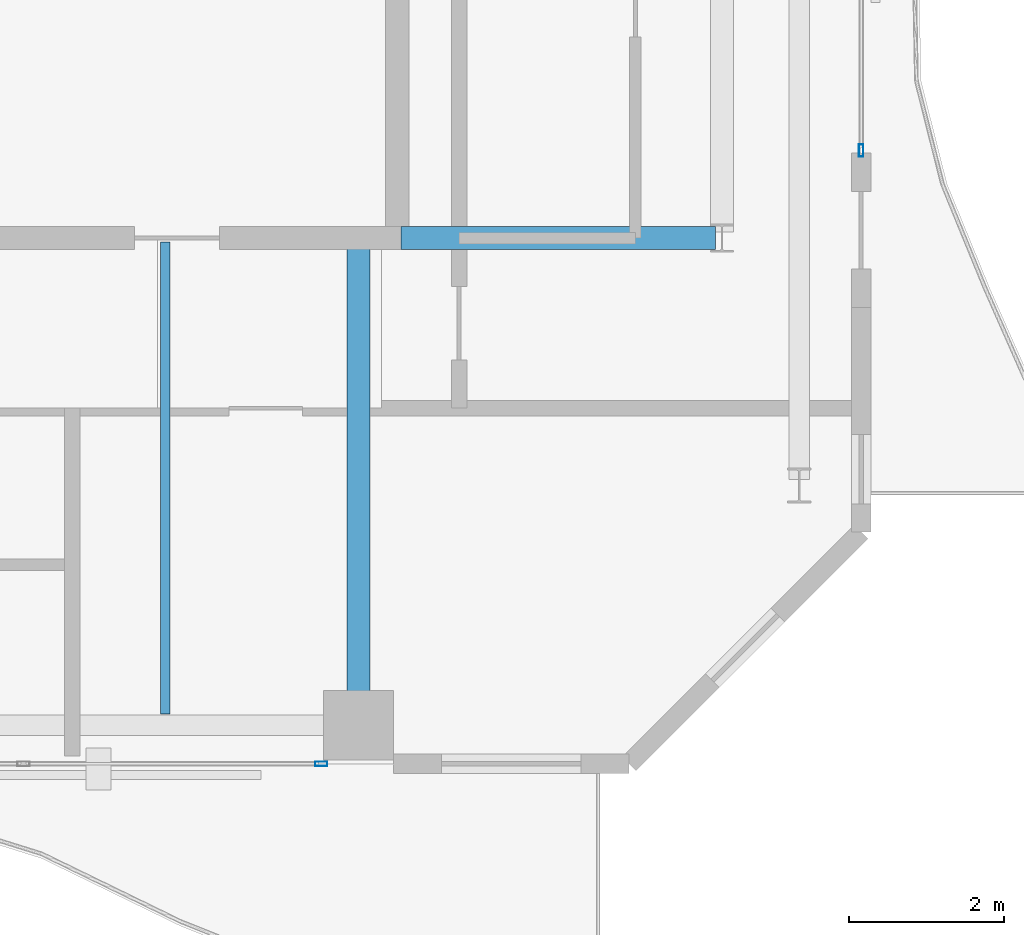
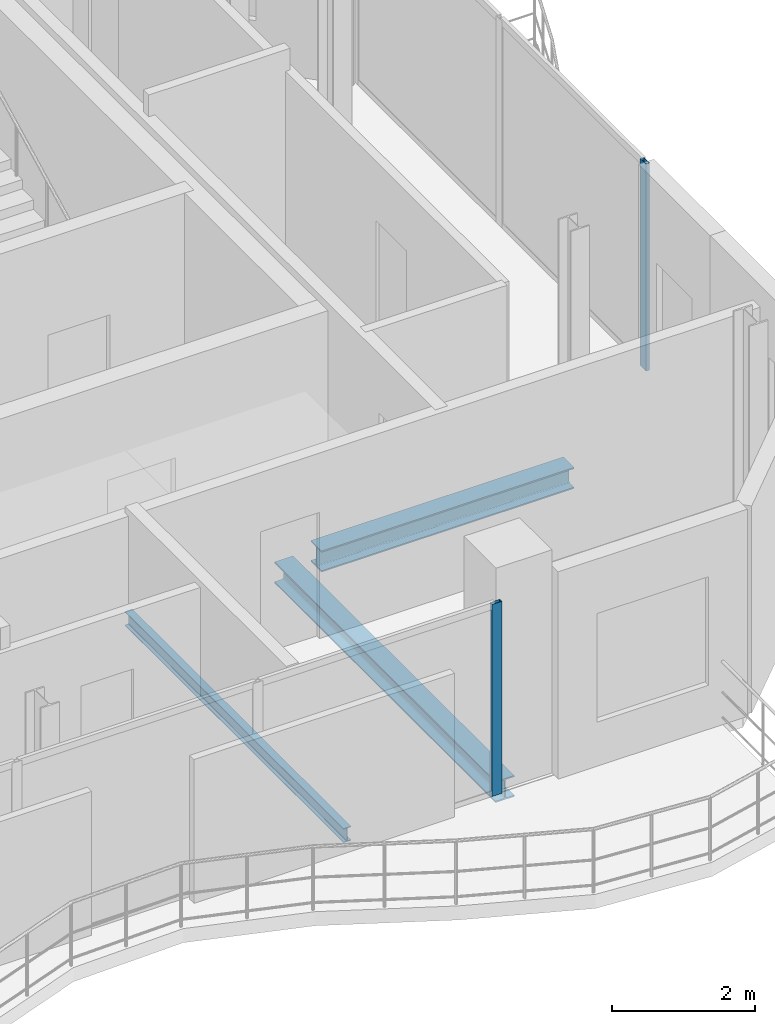
# One storey, part 14 of 23: 3 beams, 2 members, 2 elements without a shape of their own.
"""IFC4 building model written with IfcOpenShell, lengths in metres."""

from ifc_helpers import new_model, si_unit, direction, frame, origin, origin_2d, place, context, subcontext, project, spatial, hollow_rectangle, i_section, extrude, material, layer, layer_set, material_profile, profile_set, type_object, element, aggregate, save


model = new_model("IFC4")

# Units and contexts
model_context = context("Model", 3, precision=1e-05, world=origin(), true_north=direction((0.0, 1.0)))
body_context = subcontext(model_context, "Body", "Model", "MODEL_VIEW")
ifc_project = project(units=[si_unit("LENGTHUNIT", "METRE"), si_unit("AREAUNIT", "SQUARE_METRE"), si_unit("VOLUMEUNIT", "CUBIC_METRE"), si_unit("PLANEANGLEUNIT", "RADIAN"), si_unit("MASSUNIT", "GRAM", prefix="KILO")], contexts=[model_context])

# Site, building, storey
site_placement = place(None, origin())
site = spatial("IfcSite", under=ifc_project, at=site_placement, CompositionType="ELEMENT")
building_placement = place(site_placement, origin())
building = spatial("IfcBuilding", under=site, at=building_placement, Name="Catumbela Crestline Tower", CompositionType="ELEMENT")
storey_placement = place(building_placement, frame((0.0, 0.0, 245.0)))
storey = spatial("IfcBuildingStorey", under=building, at=storey_placement, Name="L63", CompositionType="ELEMENT", Elevation=245.0)

# Beams
ifc_material_1 = material(Name="Structural steel S355J2", Category="steel")
ifc_material_profile_1 = material_profile(ifc_material_1, i_section(OverallWidth=0.3, OverallDepth=0.36, WebThickness=0.0125, FlangeThickness=0.0225, FilletRadius=0.027, at=origin_2d()), Name="HEB 360")
ifc_profile_set_1 = profile_set([ifc_material_profile_1], Name="Structural steel S355J2")
beam_type_1 = type_object("IfcBeamType", Name="BG-HEB360", PredefinedType="BEAM", material=ifc_profile_set_1)
beam_1_placement = place(storey_placement, frame((40.05, 30.8, -0.44), z_axis=(1.0, 0.0, 0.0), x_axis=(0.0, 1.0, 0.0)))
element("IfcBeam", 1, at=beam_1_placement, inside=storey, type_object=beam_type_1, Name="L63 Beam BM-L63-M08", PredefinedType="BEAM", context=body_context, shape_type="SweptSolid", body=[
    extrude(i_section(OverallWidth=0.3, OverallDepth=0.36, WebThickness=0.0125, FlangeThickness=0.0225, FilletRadius=0.027, at=origin_2d()), origin(), (0.0, 0.0, 1.0), 4.07),
])
beam_2_placement = place(storey_placement, frame((39.5, 24.58, -0.44), z_axis=(0.0, 1.0, 0.0), x_axis=(-1.0, 0.0, 0.0)))
element("IfcBeam", 2, at=beam_2_placement, inside=storey, type_object=beam_type_1, Name="L63 Beam BM-L63-SNS18", PredefinedType="BEAM", context=body_context, shape_type="SweptSolid", body=[
    extrude(i_section(OverallWidth=0.3, OverallDepth=0.36, WebThickness=0.0125, FlangeThickness=0.0225, FilletRadius=0.027, at=origin_2d()), origin(), (0.0, 0.0, 1.0), 6.17),
])
ifc_material_profile_2 = material_profile(ifc_material_1, i_section(OverallWidth=0.12, OverallDepth=0.24, WebThickness=0.0062, FlangeThickness=0.0098, FilletRadius=0.015, at=origin_2d()), Name="IPE 240")
ifc_profile_set_2 = profile_set([ifc_material_profile_2], Name="Structural steel S355J2")
beam_type_2 = type_object("IfcBeamType", Name="BJ-IPE240", PredefinedType="JOIST", material=ifc_profile_set_2)
beam_3_placement = place(storey_placement, frame((37.0, 24.647, -0.38), z_axis=(0.0, 1.0, 0.0), x_axis=(-1.0, 0.0, 0.0)))
element("IfcBeam", 3, at=beam_3_placement, inside=storey, type_object=beam_type_2, Name="L63 Joist JS-L63-SP26", PredefinedType="JOIST", context=body_context, shape_type="SweptSolid", body=[
    extrude(i_section(OverallWidth=0.12, OverallDepth=0.24, WebThickness=0.0062, FlangeThickness=0.0098, FilletRadius=0.015, at=origin_2d()), origin(), (0.0, 0.0, 1.0), 6.103),
])

# Curtain wall, member
ifc_material_2 = material(Name="Aluminium alloy AW-6060-T66", Category="aluminium")
ifc_layer = layer(ifc_material_2, 0.18, Name="Aluminium alloy AW-6060-T66")
ifc_layer_set = layer_set([ifc_layer], Name="Aluminium alloy AW-6060-T66")
curtain_wall_type = type_object("IfcCurtainWallType", Name="CWU-Z4", PredefinedType="USERDEFINED", material=ifc_layer_set)
curtain_wall_1_placement = place(storey_placement, origin())
curtain_wall_1 = element("IfcCurtainWall", 4, at=curtain_wall_1_placement, inside=storey, type_object=curtain_wall_type, Name="L63 Unitised Curtain Wall CW-L63-E3S2", ObjectType="UNITISED", PredefinedType="USERDEFINED")
ifc_material_profile_3 = material_profile(ifc_material_2, hollow_rectangle(XDim=0.06, YDim=0.16, WallThickness=0.004, at=origin_2d()), Name="ALU 160x60x4")
ifc_profile_set_3 = profile_set([ifc_material_profile_3], Name="Aluminium alloy AW-6060-T66")
member_type = type_object("IfcMemberType", Name="MUL-160X60", PredefinedType="MULLION", material=ifc_profile_set_3)
member_1_placement = place(storey_placement, frame((39.0175, 24.0, 0.0), z_axis=(0.0, 0.0, 1.0), x_axis=(0.0, 1.0, 0.0)))
member_1 = element("IfcMember", 5, at=member_1_placement, type_object=member_type, Name="CWU-Z4 mullion 4", PredefinedType="MULLION", context=body_context, shape_type="SweptSolid", body=[
    extrude(hollow_rectangle(XDim=0.06, YDim=0.16, WallThickness=0.004, at=origin_2d()), origin(), (0.0, 0.0, 1.0), 3.27),
])
aggregate(curtain_wall_1, [member_1])

curtain_wall_2_placement = place(storey_placement, origin())
curtain_wall_2 = element("IfcCurtainWall", 6, at=curtain_wall_2_placement, inside=storey, type_object=curtain_wall_type, Name="L63 Unitised Curtain Wall CW-L63-E5S2", ObjectType="UNITISED", PredefinedType="USERDEFINED")
member_2_placement = place(storey_placement, frame((46.0, 31.9325, 0.0), z_axis=(0.0, 0.0, 1.0), x_axis=(-1.0, 0.0, 0.0)))
member_2 = element("IfcMember", 7, at=member_2_placement, type_object=member_type, Name="CWU-Z4 mullion 1", PredefinedType="MULLION", context=body_context, shape_type="SweptSolid", body=[
    extrude(hollow_rectangle(XDim=0.06, YDim=0.16, WallThickness=0.004, at=origin_2d()), origin(), (0.0, 0.0, 1.0), 3.53),
])
aggregate(curtain_wall_2, [member_2])

save(model, "model.ifc")
